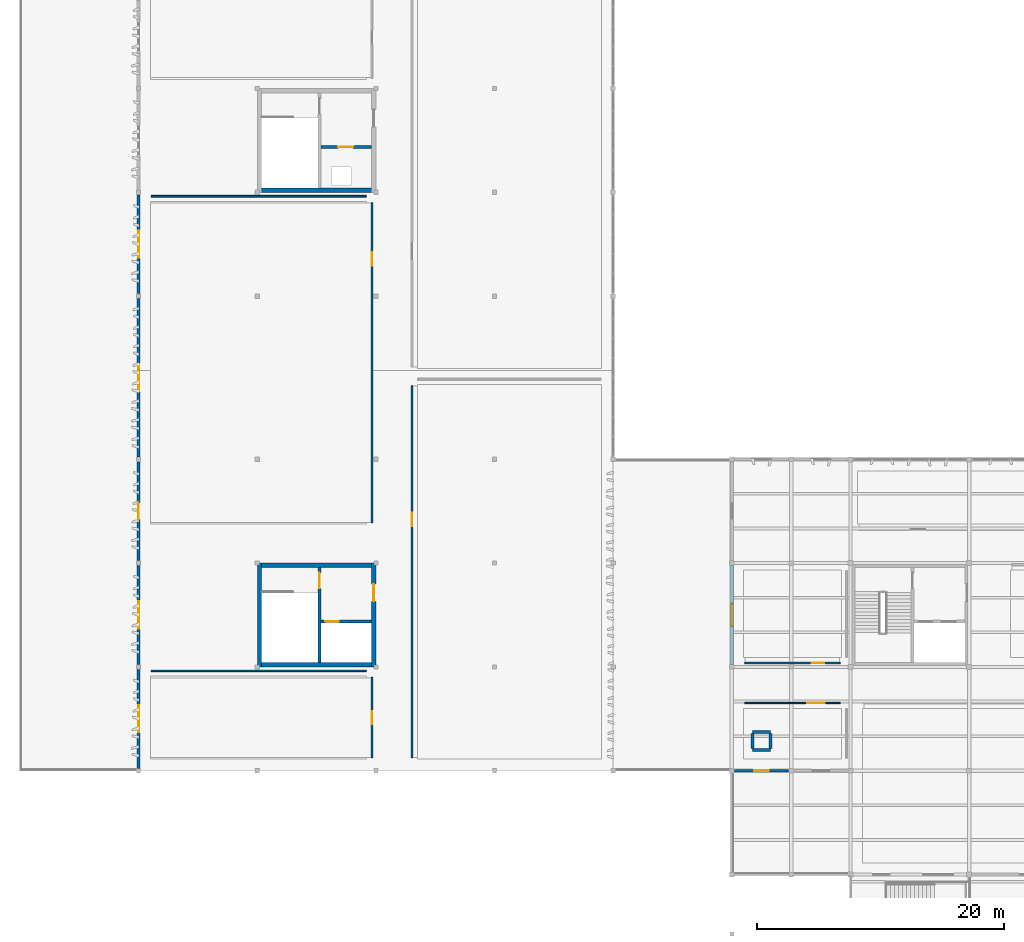
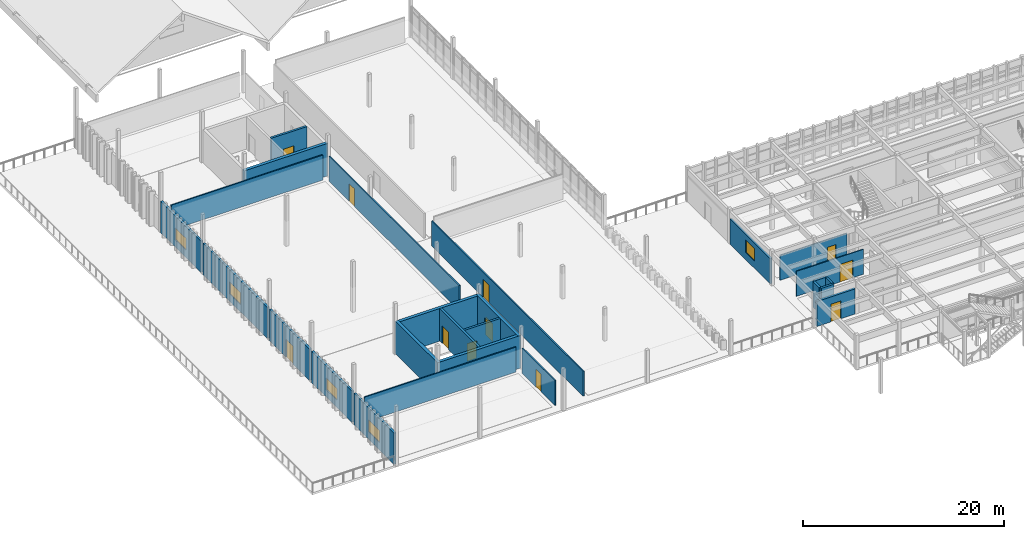
# One storey, part 30 of 42: 26 walls, 11 doors, 5 windows, 16 openings.
"""IFC4 building model written with IfcOpenShell, lengths in metres."""

from ifc_helpers import new_model, si_unit, direction, frame, frame_2d, origin, place, context, subcontext, project, spatial, rectangle, extrude, material, layer, layer_set, type_object, element, fill, save


model = new_model("IFC4")

# Units and contexts
model_context = context("Model", 3, precision=1e-05, world=origin(), true_north=direction((0.0, 1.0)))
body_context = subcontext(model_context, "Body", "Model", "MODEL_VIEW")
ifc_project = project(units=[si_unit("LENGTHUNIT", "METRE"), si_unit("AREAUNIT", "SQUARE_METRE"), si_unit("VOLUMEUNIT", "CUBIC_METRE"), si_unit("PLANEANGLEUNIT", "RADIAN"), si_unit("MASSUNIT", "GRAM", prefix="KILO")], contexts=[model_context])

# Site, building, storey
site_placement = place(None, origin())
site = spatial("IfcSite", under=ifc_project, at=site_placement, CompositionType="ELEMENT")
building_placement = place(site_placement, origin())
building = spatial("IfcBuilding", under=site, at=building_placement, Name="Kolvemor Railside Polytechnic", CompositionType="ELEMENT")
storey_placement = place(building_placement, frame((0.0, 0.0, 14.39990234375)))
storey = spatial("IfcBuildingStorey", under=building, at=storey_placement, Name="L03", CompositionType="ELEMENT", Elevation=14.39990234375)

# Walls
ifc_material_1 = material(Name="Concrete C40/50", Category="concrete")
ifc_layer_1 = layer(ifc_material_1, 0.35009765625, Name="WL-CORE-350")
ifc_layer_set_1 = layer_set([ifc_layer_1], Name="Concrete C40/50")
wall_type_1 = type_object("IfcWallType", Name="WL-CORE-350", PredefinedType="SHEAR", material=ifc_layer_set_1)
for number, where, z_axis, x_axis, name in (
    (1, (19.199951171875, 29.824951171875, 0.0), (0.0, 0.0, 1.0), (1.0, 0.0, 0.0), "CORE-4 North Core Wall L03"),
    (2, (19.199951171875, 21.77490234375, 0.0), (0.0, 0.0, 1.0), (1.0, 0.0, 0.0), "CORE-4 South Core Wall L03"),
):
    element("IfcWall", number, at=place(storey_placement, frame(where, z_axis=z_axis, x_axis=x_axis)), inside=storey, type_object=wall_type_1, Name=name, PredefinedType="SHEAR", context=body_context, shape_type="SweptSolid", body=[
        extrude(rectangle(XDim=9.60009765625, YDim=0.35009765625, at=frame_2d((4.800048828125, 0.0))), origin(), (0.0, 0.0, 1.0), 3.9501953125),
    ])
wall_1_placement = place(storey_placement, frame((19.375, 21.60009765625, 0.0), z_axis=(0.0, 0.0, 1.0), x_axis=(0.0, 1.0, 0.0)))
element("IfcWall", 3, at=wall_1_placement, inside=storey, type_object=wall_type_1, Name="CORE-4 West Core Wall L03", PredefinedType="SHEAR", context=body_context, shape_type="SweptSolid", body=[
    extrude(rectangle(XDim=8.39990234375, YDim=0.35009765625, at=frame_2d((4.199951171875, 0.0))), origin(), (0.0, 0.0, 1.0), 3.9501953125),
])

# Wall, opening, door
wall_2_placement = place(storey_placement, frame((28.625, 21.60009765625, 0.0), z_axis=(0.0, 0.0, 1.0), x_axis=(0.0, 1.0, 0.0)))
wall_2 = element("IfcWall", 4, at=wall_2_placement, inside=storey, type_object=wall_type_1, Name="CORE-4 East Core Wall L03", PredefinedType="SHEAR", context=body_context, shape_type="SweptSolid", body=[
    extrude(rectangle(XDim=8.39990234375, YDim=0.35009765625, at=frame_2d((4.199951171875, 0.0))), origin(), (0.0, 0.0, 1.0), 3.9501953125),
])
opening_1_placement = place(wall_2_placement, frame((5.300048828125, 0.0, 0.0)))
opening_1 = element("IfcOpeningElement", 5, at=opening_1_placement, cuts=wall_2, Name="Opening D-LOB-4-L03", PredefinedType="OPENING", context=body_context, shape_type="SweptSolid", body=[
    extrude(rectangle(XDim=1.39990234375, YDim=2.14990234375, at=frame_2d((0.699951171875, 1.074951171875))), frame((0.0, 0.18505859375, 0.0), z_axis=(0.0, -1.0, 0.0), x_axis=(1.0, 0.0, 0.0)), (0.0, 0.0, 1.0), 0.3701171875),
])
ifc_material_2 = material(Name="Fire-rated hardwood and brushed stainless-steel door", Category="steel")
door_type_1 = type_object("IfcDoorType", Name="DR-FD60-140x215", OperationType="NOTDEFINED", PredefinedType="DOOR", material=ifc_material_2)
door_1_placement = place(opening_1_placement, origin())
door_1 = element("IfcDoor", 6, at=door_1_placement, inside=storey, type_object=door_type_1, Name="Core Lobby Fire Door CORE-4 L03", OperationType="SINGLE_SWING_LEFT", OverallHeight=2.14990234375, OverallWidth=1.39990234375, PredefinedType="DOOR", context=body_context, shape_type="SweptSolid", body=[
    extrude(rectangle(XDim=1.39990234375, YDim=2.14990234375, at=frame_2d((0.699951171875, 1.074951171875))), frame((0.0, 0.02490234375, 0.0), z_axis=(0.0, -1.0, 0.0), x_axis=(1.0, 0.0, 0.0)), (0.0, 0.0, 1.0), 0.050048828125),
])
fill(opening_1, door_1)

# Wall
wall_3_placement = place(storey_placement, frame((19.199951171875, 60.175048828125, 0.0), z_axis=(0.0, 0.0, 1.0), x_axis=(1.0, 0.0, 0.0)))
element("IfcWall", 7, at=wall_3_placement, inside=storey, type_object=wall_type_1, Name="CORE-5 South Core Wall L03", PredefinedType="SHEAR", context=body_context, shape_type="SweptSolid", body=[
    extrude(rectangle(XDim=9.60009765625, YDim=0.35009765625, at=frame_2d((4.800048828125, 0.0))), origin(), (0.0, 0.0, 1.0), 3.9501953125),
])

# Wall, opening, window
ifc_material_3 = material(Name="Cross-laminated timber CLT E1", Category="wood")
ifc_layer_2 = layer(ifc_material_3, 0.239990234375, Name="WL-EXT-TM-240")
ifc_layer_set_2 = layer_set([ifc_layer_2], Name="Cross-laminated timber CLT E1")
wall_type_2 = type_object("IfcWallType", Name="WL-EXT-TM-240", PredefinedType="SOLIDWALL", material=ifc_layer_set_2)
wall_4_placement = place(storey_placement, frame((9.60009765625, 21.39990234375, 0.0), z_axis=(0.0, 0.0, 1.0), x_axis=(0.0, -1.0, 0.0)))
wall_4 = element("IfcWall", 8, at=wall_4_placement, inside=storey, type_object=wall_type_2, Name="Exterior Wall L03-0046", PredefinedType="SOLIDWALL", context=body_context, shape_type="SweptSolid", body=[
    extrude(rectangle(XDim=8.0, YDim=0.239990234375, at=frame_2d((4.0, 0.0))), origin(), (0.0, 0.0, 1.0), 3.800048828125),
])
opening_2_placement = place(wall_4_placement, frame((2.89990234375, 0.0, 0.89990234375)))
opening_2 = element("IfcOpeningElement", 9, at=opening_2_placement, cuts=wall_4, Name="Opening WN-SEM3", PredefinedType="OPENING", context=body_context, shape_type="SweptSolid", body=[
    extrude(rectangle(XDim=2.199951171875, YDim=1.449951171875, at=frame_2d((1.10009765625, 0.72509765625))), frame((0.0, 0.1298828125, 0.0), z_axis=(0.0, -1.0, 0.0), x_axis=(1.0, 0.0, 0.0)), (0.0, 0.0, 1.0), 0.260009765625),
])
ifc_material_4 = material(Name="Hurricane-laminated thermally broken aluminium window", Category="aluminium")
window_type_1 = type_object("IfcWindowType", Name="WN-SEM-220x145", PartitioningType="DOUBLE_PANEL_VERTICAL", PredefinedType="WINDOW", material=ifc_material_4)
window_1_placement = place(opening_2_placement, origin())
window_1 = element("IfcWindow", 10, at=window_1_placement, inside=storey, type_object=window_type_1, Name="Window L03-0043", OverallHeight=1.449951171875, OverallWidth=2.199951171875, PartitioningType="SINGLE_PANEL", PredefinedType="WINDOW", context=body_context, shape_type="SweptSolid", body=[
    extrude(rectangle(XDim=2.199951171875, YDim=1.449951171875, at=frame_2d((1.10009765625, 0.72509765625))), frame((0.0, 0.030029296875, 0.0), z_axis=(0.0, -1.0, 0.0), x_axis=(1.0, 0.0, 0.0)), (0.0, 0.0, 1.0), 0.06005859375),
])
fill(opening_2, window_1)

wall_5_placement = place(storey_placement, frame((9.60009765625, 29.800048828125, 0.0), z_axis=(0.0, 0.0, 1.0), x_axis=(0.0, -1.0, 0.0)))
wall_5 = element("IfcWall", 11, at=wall_5_placement, inside=storey, type_object=wall_type_2, Name="Exterior Wall L03-0054", PredefinedType="SOLIDWALL", context=body_context, shape_type="SweptSolid", body=[
    extrude(rectangle(XDim=8.0, YDim=0.239990234375, at=frame_2d((4.0, 0.0))), origin(), (0.0, 0.0, 1.0), 3.800048828125),
])
opening_3_placement = place(wall_5_placement, frame((2.89990234375, 0.0, 0.89990234375)))
opening_3 = element("IfcOpeningElement", 12, at=opening_3_placement, cuts=wall_5, Name="Opening WN-SEM3", PredefinedType="OPENING", context=body_context, shape_type="SweptSolid", body=[
    extrude(rectangle(XDim=2.199951171875, YDim=1.449951171875, at=frame_2d((1.10009765625, 0.72509765625))), frame((0.0, 0.1298828125, 0.0), z_axis=(0.0, -1.0, 0.0), x_axis=(1.0, 0.0, 0.0)), (0.0, 0.0, 1.0), 0.260009765625),
])
window_2_placement = place(opening_3_placement, origin())
window_2 = element("IfcWindow", 13, at=window_2_placement, inside=storey, type_object=window_type_1, Name="Window L03-0051", OverallHeight=1.449951171875, OverallWidth=2.199951171875, PartitioningType="SINGLE_PANEL", PredefinedType="WINDOW", context=body_context, shape_type="SweptSolid", body=[
    extrude(rectangle(XDim=2.199951171875, YDim=1.449951171875, at=frame_2d((1.10009765625, 0.72509765625))), frame((0.0, 0.030029296875, 0.0), z_axis=(0.0, -1.0, 0.0), x_axis=(1.0, 0.0, 0.0)), (0.0, 0.0, 1.0), 0.06005859375),
])
fill(opening_3, window_2)

# Wall, opening, door
wall_6_placement = place(storey_placement, frame((9.60009765625, 38.199951171875, 0.0), z_axis=(0.0, 0.0, 1.0), x_axis=(0.0, -1.0, 0.0)))
wall_6 = element("IfcWall", 14, at=wall_6_placement, inside=storey, type_object=wall_type_2, Name="Exterior Wall L03-0061", PredefinedType="SOLIDWALL", context=body_context, shape_type="SweptSolid", body=[
    extrude(rectangle(XDim=8.0, YDim=0.239990234375, at=frame_2d((4.0, 0.0))), origin(), (0.0, 0.0, 1.0), 3.800048828125),
])
opening_4_placement = place(wall_6_placement, frame((3.324951171875, 0.0, 0.0)))
opening_4 = element("IfcOpeningElement", 15, at=opening_4_placement, cuts=wall_6, Name="Opening D-TER-V3W", PredefinedType="OPENING", context=body_context, shape_type="SweptSolid", body=[
    extrude(rectangle(XDim=1.35009765625, YDim=2.14990234375, at=frame_2d((0.675048828125, 1.074951171875))), frame((0.0, 0.1298828125, 0.0), z_axis=(0.0, -1.0, 0.0), x_axis=(1.0, 0.0, 0.0)), (0.0, 0.0, 1.0), 0.260009765625),
])
ifc_material_5 = material(Name="Marine-grade thermally broken aluminium and laminated glass door", Category="aluminium")
door_type_2 = type_object("IfcDoorType", Name="DR-TER-135x215", OperationType="NOTDEFINED", PredefinedType="DOOR", material=ifc_material_5)
door_2_placement = place(opening_4_placement, origin())
door_2 = element("IfcDoor", 16, at=door_2_placement, inside=storey, type_object=door_type_2, Name="Exterior Door D-TER-V3W", OperationType="SINGLE_SWING_LEFT", OverallHeight=2.14990234375, OverallWidth=1.35009765625, PredefinedType="DOOR", context=body_context, shape_type="SweptSolid", body=[
    extrude(rectangle(XDim=1.35009765625, YDim=2.14990234375, at=frame_2d((0.675048828125, 1.074951171875))), frame((0.0, 0.02490234375, 0.0), z_axis=(0.0, -1.0, 0.0), x_axis=(1.0, 0.0, 0.0)), (0.0, 0.0, 1.0), 0.050048828125),
])
fill(opening_4, door_2)

# Wall, opening, window
wall_7_placement = place(storey_placement, frame((9.60009765625, 51.39990234375, 0.0), z_axis=(0.0, 0.0, 1.0), x_axis=(0.0, -1.0, 0.0)))
wall_7 = element("IfcWall", 17, at=wall_7_placement, inside=storey, type_object=wall_type_2, Name="Exterior Wall L03-0062", PredefinedType="SOLIDWALL", context=body_context, shape_type="SweptSolid", body=[
    extrude(rectangle(XDim=12.7998046875, YDim=0.239990234375, at=frame_2d((6.39990234375, 0.0))), origin(), (0.0, 0.0, 1.0), 3.800048828125),
])
opening_5_placement = place(wall_7_placement, frame((5.300048828125, 0.0, 0.89990234375)))
opening_5 = element("IfcOpeningElement", 18, at=opening_5_placement, cuts=wall_7, Name="Opening WN-SEM3", PredefinedType="OPENING", context=body_context, shape_type="SweptSolid", body=[
    extrude(rectangle(XDim=2.199951171875, YDim=1.449951171875, at=frame_2d((1.10009765625, 0.72509765625))), frame((0.0, 0.1298828125, 0.0), z_axis=(0.0, -1.0, 0.0), x_axis=(1.0, 0.0, 0.0)), (0.0, 0.0, 1.0), 0.260009765625),
])
window_3_placement = place(opening_5_placement, origin())
window_3 = element("IfcWindow", 19, at=window_3_placement, inside=storey, type_object=window_type_1, Name="Window L03-0060", OverallHeight=1.449951171875, OverallWidth=2.199951171875, PartitioningType="SINGLE_PANEL", PredefinedType="WINDOW", context=body_context, shape_type="SweptSolid", body=[
    extrude(rectangle(XDim=2.199951171875, YDim=1.449951171875, at=frame_2d((1.10009765625, 0.72509765625))), frame((0.0, 0.030029296875, 0.0), z_axis=(0.0, -1.0, 0.0), x_axis=(1.0, 0.0, 0.0)), (0.0, 0.0, 1.0), 0.06005859375),
])
fill(opening_5, window_3)

wall_8_placement = place(storey_placement, frame((9.60009765625, 59.800048828125, 0.0), z_axis=(0.0, 0.0, 1.0), x_axis=(0.0, -1.0, 0.0)))
wall_8 = element("IfcWall", 20, at=wall_8_placement, inside=storey, type_object=wall_type_2, Name="Exterior Wall L03-0066", PredefinedType="SOLIDWALL", context=body_context, shape_type="SweptSolid", body=[
    extrude(rectangle(XDim=8.0, YDim=0.239990234375, at=frame_2d((4.0, 0.0))), origin(), (0.0, 0.0, 1.0), 3.800048828125),
])
opening_6_placement = place(wall_8_placement, frame((2.89990234375, 0.0, 0.89990234375)))
opening_6 = element("IfcOpeningElement", 21, at=opening_6_placement, cuts=wall_8, Name="Opening WN-SEM3", PredefinedType="OPENING", context=body_context, shape_type="SweptSolid", body=[
    extrude(rectangle(XDim=2.199951171875, YDim=1.449951171875, at=frame_2d((1.10009765625, 0.72509765625))), frame((0.0, 0.1298828125, 0.0), z_axis=(0.0, -1.0, 0.0), x_axis=(1.0, 0.0, 0.0)), (0.0, 0.0, 1.0), 0.260009765625),
])
window_4_placement = place(opening_6_placement, origin())
window_4 = element("IfcWindow", 22, at=window_4_placement, inside=storey, type_object=window_type_1, Name="Window L03-0067", OverallHeight=1.449951171875, OverallWidth=2.199951171875, PartitioningType="SINGLE_PANEL", PredefinedType="WINDOW", context=body_context, shape_type="SweptSolid", body=[
    extrude(rectangle(XDim=2.199951171875, YDim=1.449951171875, at=frame_2d((1.10009765625, 0.72509765625))), frame((0.0, 0.030029296875, 0.0), z_axis=(0.0, -1.0, 0.0), x_axis=(1.0, 0.0, 0.0)), (0.0, 0.0, 1.0), 0.06005859375),
])
fill(opening_6, window_4)

wall_9_placement = place(storey_placement, frame((57.60009765625, 29.800048828125, 0.0), z_axis=(0.0, 0.0, 1.0), x_axis=(0.0, -1.0, 0.0)))
wall_9 = element("IfcWall", 23, at=wall_9_placement, inside=storey, type_object=wall_type_2, Name="Exterior Wall L03-0166", PredefinedType="SOLIDWALL", context=body_context, shape_type="SweptSolid", body=[
    extrude(rectangle(XDim=8.0, YDim=0.239990234375, at=frame_2d((4.0, 0.0))), origin(), (0.0, 0.0, 1.0), 3.050048828125),
])
opening_7_placement = place(wall_9_placement, frame((3.10009765625, 0.0, 0.89990234375)))
opening_7 = element("IfcOpeningElement", 24, at=opening_7_placement, cuts=wall_9, Name="Opening WN-LAB", PredefinedType="OPENING", context=body_context, shape_type="SweptSolid", body=[
    extrude(rectangle(XDim=1.800048828125, YDim=1.5, at=frame_2d((0.89990234375, 0.75))), frame((0.0, 0.1298828125, 0.0), z_axis=(0.0, -1.0, 0.0), x_axis=(1.0, 0.0, 0.0)), (0.0, 0.0, 1.0), 0.260009765625),
])
ifc_material_6 = material(Name="Hurricane-laminated thermally broken aluminium window", Category="aluminium")
window_type_2 = type_object("IfcWindowType", Name="WN-LAB-180x150", PartitioningType="DOUBLE_PANEL_VERTICAL", PredefinedType="WINDOW", material=ifc_material_6)
window_5_placement = place(opening_7_placement, origin())
window_5 = element("IfcWindow", 25, at=window_5_placement, inside=storey, type_object=window_type_2, Name="Window L03-0175", OverallHeight=1.5, OverallWidth=1.800048828125, PartitioningType="SINGLE_PANEL", PredefinedType="WINDOW", context=body_context, shape_type="SweptSolid", body=[
    extrude(rectangle(XDim=1.800048828125, YDim=1.5, at=frame_2d((0.89990234375, 0.75))), frame((0.0, 0.030029296875, 0.0), z_axis=(0.0, -1.0, 0.0), x_axis=(1.0, 0.0, 0.0)), (0.0, 0.0, 1.0), 0.06005859375),
])
fill(opening_7, window_5)

# Wall, opening, door
wall_10_placement = place(storey_placement, frame((62.199951171875, 13.199951171875, 0.0), z_axis=(0.0, 0.0, 1.0), x_axis=(-1.0, 0.0, 0.0)))
wall_10 = element("IfcWall", 26, at=wall_10_placement, inside=storey, type_object=wall_type_2, Name="Exterior Wall L03-0168", PredefinedType="SOLIDWALL", context=body_context, shape_type="SweptSolid", body=[
    extrude(rectangle(XDim=4.39990234375, YDim=0.239990234375, at=frame_2d((2.199951171875, 0.0))), origin(), (0.0, 0.0, 1.0), 3.050048828125),
])
opening_8_placement = place(wall_10_placement, frame((1.60009765625, 0.0, 0.0)))
opening_8 = element("IfcOpeningElement", 27, at=opening_8_placement, cuts=wall_10, Name="Opening D-TER-L03SW2", PredefinedType="OPENING", context=body_context, shape_type="SweptSolid", body=[
    extrude(rectangle(XDim=1.199951171875, YDim=2.14990234375, at=frame_2d((0.60009765625, 1.074951171875))), frame((0.0, 0.1298828125, 0.0), z_axis=(0.0, -1.0, 0.0), x_axis=(1.0, 0.0, 0.0)), (0.0, 0.0, 1.0), 0.260009765625),
])
ifc_material_7 = material(Name="Marine-grade thermally broken aluminium and laminated glass door", Category="aluminium")
door_type_3 = type_object("IfcDoorType", Name="DR-TER-120x215", OperationType="NOTDEFINED", PredefinedType="DOOR", material=ifc_material_7)
door_3_placement = place(opening_8_placement, origin())
door_3 = element("IfcDoor", 28, at=door_3_placement, inside=storey, type_object=door_type_3, Name="Exterior Door D-TER-L03SW2", OperationType="SINGLE_SWING_RIGHT", OverallHeight=2.14990234375, OverallWidth=1.199951171875, PredefinedType="DOOR", context=body_context, shape_type="SweptSolid", body=[
    extrude(rectangle(XDim=1.199951171875, YDim=2.14990234375, at=frame_2d((0.60009765625, 1.074951171875))), frame((0.0, 0.02490234375, 0.0), z_axis=(0.0, -1.0, 0.0), x_axis=(1.0, 0.0, 0.0)), (0.0, 0.0, 1.0), 0.050048828125),
])
fill(opening_8, door_3)

ifc_material_8 = material(Name="Fire-rated store partition")
ifc_layer_3 = layer(ifc_material_8, 0.110107421875, Name="WL-PART-110")
ifc_layer_set_3 = layer_set([ifc_layer_3], Name="Fire-rated store partition")
wall_type_3 = type_object("IfcWallType", Name="WL-PART-110", PredefinedType="PARTITIONING", material=ifc_layer_set_3)
wall_11_placement = place(storey_placement, frame((58.64990234375, 18.679931640625, 0.0), z_axis=(0.0, 0.0, 1.0), x_axis=(1.0, 0.0, 0.0)))
wall_11 = element("IfcWall", 29, at=wall_11_placement, inside=storey, type_object=wall_type_3, Name="Partition Wall L03-0189", PredefinedType="PARTITIONING", context=body_context, shape_type="SweptSolid", body=[
    extrude(rectangle(XDim=7.7001953125, YDim=0.110107421875, at=frame_2d((3.85009765625, 0.0))), origin(), (0.0, 0.0, 1.0), 3.030029296875),
])
opening_9_placement = place(wall_11_placement, frame((5.031982421875, 0.0, 0.0)))
opening_9 = element("IfcOpeningElement", 30, at=opening_9_placement, cuts=wall_11, Name="Opening D-03107", PredefinedType="OPENING", context=body_context, shape_type="SweptSolid", body=[
    extrude(rectangle(XDim=1.449951171875, YDim=2.14990234375, at=frame_2d((0.72509765625, 1.074951171875))), frame((0.0, 0.06494140625, 0.0), z_axis=(0.0, -1.0, 0.0), x_axis=(1.0, 0.0, 0.0)), (0.0, 0.0, 1.0), 0.130126953125),
])
ifc_material_9 = material(Name="Fire-rated hardwood and brushed stainless-steel door", Category="steel")
door_type_4 = type_object("IfcDoorType", Name="DR-PLT-145x215", OperationType="NOTDEFINED", PredefinedType="DOOR", material=ifc_material_9)
door_4_placement = place(opening_9_placement, origin())
door_4 = element("IfcDoor", 31, at=door_4_placement, inside=storey, type_object=door_type_4, Name="Room Door D-03107 (Studio Plotter and Model Archive Store)", OperationType="SINGLE_SWING_RIGHT", OverallHeight=2.14990234375, OverallWidth=1.449951171875, PredefinedType="DOOR", context=body_context, shape_type="SweptSolid", body=[
    extrude(rectangle(XDim=1.449951171875, YDim=2.14990234375, at=frame_2d((0.72509765625, 1.074951171875))), frame((0.0, 0.02490234375, 0.0), z_axis=(0.0, -1.0, 0.0), x_axis=(1.0, 0.0, 0.0)), (0.0, 0.0, 1.0), 0.050048828125),
])
fill(opening_9, door_4)

ifc_material_10 = material(Name="Departmental partition")
ifc_layer_4 = layer(ifc_material_10, 0.1298828125, Name="WL-PART-130")
ifc_layer_set_4 = layer_set([ifc_layer_4], Name="Departmental partition")
wall_type_4 = type_object("IfcWallType", Name="WL-PART-130", PredefinedType="PARTITIONING", material=ifc_layer_set_4)
wall_12_placement = place(storey_placement, frame((58.64990234375, 21.919921875, 0.0), z_axis=(0.0, 0.0, 1.0), x_axis=(1.0, 0.0, 0.0)))
wall_12 = element("IfcWall", 32, at=wall_12_placement, inside=storey, type_object=wall_type_4, Name="Partition Wall L03-0179", PredefinedType="PARTITIONING", context=body_context, shape_type="SweptSolid", body=[
    extrude(rectangle(XDim=7.7001953125, YDim=0.1298828125, at=frame_2d((3.85009765625, 0.0))), origin(), (0.0, 0.0, 1.0), 3.030029296875),
])
opening_10_placement = place(wall_12_placement, frame((5.431884765625, 0.0, 0.0)))
opening_10 = element("IfcOpeningElement", 33, at=opening_10_placement, cuts=wall_12, Name="Opening D-03101", PredefinedType="OPENING", context=body_context, shape_type="SweptSolid", body=[
    extrude(rectangle(XDim=0.97998046875, YDim=2.10009765625, at=frame_2d((0.489990234375, 1.050048828125))), frame((0.0, 0.074951171875, 0.0), z_axis=(0.0, -1.0, 0.0), x_axis=(1.0, 0.0, 0.0)), (0.0, 0.0, 1.0), 0.14990234375),
])
ifc_material_11 = material(Name="Solid hardwood acoustic door", Category="wood")
door_type_5 = type_object("IfcDoorType", Name="DR-ADM-098x210", OperationType="NOTDEFINED", PredefinedType="DOOR", material=ifc_material_11)
door_5_placement = place(opening_10_placement, origin())
door_5 = element("IfcDoor", 34, at=door_5_placement, inside=storey, type_object=door_type_5, Name="Room Door D-03101 (Faculty of Mechanical Engineering Suite)", OperationType="SINGLE_SWING_RIGHT", OverallHeight=2.10009765625, OverallWidth=0.97998046875, PredefinedType="DOOR", context=body_context, shape_type="SweptSolid", body=[
    extrude(rectangle(XDim=0.97998046875, YDim=2.10009765625, at=frame_2d((0.489990234375, 1.050048828125))), frame((0.0, 0.02490234375, 0.0), z_axis=(0.0, -1.0, 0.0), x_axis=(1.0, 0.0, 0.0)), (0.0, 0.0, 1.0), 0.050048828125),
])
fill(opening_10, door_5)

ifc_material_12 = material(Name="Seminar acoustic partition")
ifc_layer_5 = layer(ifc_material_12, 0.139892578125, Name="WL-PART-140")
ifc_layer_set_5 = layer_set([ifc_layer_5], Name="Seminar acoustic partition")
wall_type_5 = type_object("IfcWallType", Name="WL-PART-140", PredefinedType="PARTITIONING", material=ifc_layer_set_5)
wall_13_placement = place(storey_placement, frame((28.47998046875, 14.25, 0.0), z_axis=(0.0, 0.0, 1.0), x_axis=(0.0, 1.0, 0.0)))
wall_13 = element("IfcWall", 35, at=wall_13_placement, inside=storey, type_object=wall_type_5, Name="Partition Wall L03-0166", PredefinedType="PARTITIONING", context=body_context, shape_type="SweptSolid", body=[
    extrude(rectangle(XDim=6.5, YDim=0.139892578125, at=frame_2d((3.25, 0.0))), origin(), (0.0, 0.0, 1.0), 3.030029296875),
])
opening_11_placement = place(wall_13_placement, frame((2.72998046875, 0.0, 0.0)))
opening_11 = element("IfcOpeningElement", 36, at=opening_11_placement, cuts=wall_13, Name="Opening D-03094", PredefinedType="OPENING", context=body_context, shape_type="SweptSolid", body=[
    extrude(rectangle(XDim=1.0400390625, YDim=2.14990234375, at=frame_2d((0.52001953125, 1.074951171875))), frame((0.0, 0.079833984375, 0.0), z_axis=(0.0, -1.0, 0.0), x_axis=(1.0, 0.0, 0.0)), (0.0, 0.0, 1.0), 0.159912109375),
])
ifc_material_13 = material(Name="Solid hardwood acoustic door", Category="wood")
door_type_6 = type_object("IfcDoorType", Name="DR-SEM-104x215", OperationType="NOTDEFINED", PredefinedType="DOOR", material=ifc_material_13)
door_6_placement = place(opening_11_placement, origin())
door_6 = element("IfcDoor", 37, at=door_6_placement, inside=storey, type_object=door_type_6, Name="Room Door D-03094 (Seminar Room 301)", OperationType="SINGLE_SWING_LEFT", OverallHeight=2.14990234375, OverallWidth=1.0400390625, PredefinedType="DOOR", context=body_context, shape_type="SweptSolid", body=[
    extrude(rectangle(XDim=1.0400390625, YDim=2.14990234375, at=frame_2d((0.52001953125, 1.074951171875))), frame((0.0, 0.02490234375, 0.0), z_axis=(0.0, -1.0, 0.0), x_axis=(1.0, 0.0, 0.0)), (0.0, 0.0, 1.0), 0.050048828125),
])
fill(opening_11, door_6)

# Wall
wall_14_placement = place(storey_placement, frame((10.60009765625, 21.280029296875, 0.0), z_axis=(0.0, 0.0, 1.0), x_axis=(1.0, 0.0, 0.0)))
element("IfcWall", 38, at=wall_14_placement, inside=storey, type_object=wall_type_5, Name="Demising Partition L03-0167", PredefinedType="PARTITIONING", context=body_context, shape_type="SweptSolid", body=[
    extrude(rectangle(XDim=17.39990234375, YDim=0.139892578125, at=frame_2d((8.699951171875, 0.0))), origin(), (0.0, 0.0, 1.0), 3.030029296875),
])

# Wall, opening, door
wall_15_placement = place(storey_placement, frame((28.47998046875, 33.25, 0.0), z_axis=(0.0, 0.0, 1.0), x_axis=(0.0, 1.0, 0.0)))
wall_15 = element("IfcWall", 39, at=wall_15_placement, inside=storey, type_object=wall_type_5, Name="Partition Wall L03-0168", PredefinedType="PARTITIONING", context=body_context, shape_type="SweptSolid", body=[
    extrude(rectangle(XDim=25.89990234375, YDim=0.139892578125, at=frame_2d((12.949951171875, 0.0))), origin(), (0.0, 0.0, 1.0), 3.030029296875),
])
opening_12_placement = place(wall_15_placement, frame((20.81689453125, 0.0, 0.0)))
opening_12 = element("IfcOpeningElement", 40, at=opening_12_placement, cuts=wall_15, Name="Opening D-03095", PredefinedType="OPENING", context=body_context, shape_type="SweptSolid", body=[
    extrude(rectangle(XDim=1.080078125, YDim=2.14990234375, at=frame_2d((0.5400390625, 1.074951171875))), frame((0.0, 0.079833984375, 0.0), z_axis=(0.0, -1.0, 0.0), x_axis=(1.0, 0.0, 0.0)), (0.0, 0.0, 1.0), 0.159912109375),
])
ifc_material_14 = material(Name="Solid hardwood acoustic door", Category="wood")
door_type_7 = type_object("IfcDoorType", Name="DR-SEM-108x215", OperationType="NOTDEFINED", PredefinedType="DOOR", material=ifc_material_14)
door_7_placement = place(opening_12_placement, origin())
door_7 = element("IfcDoor", 41, at=door_7_placement, inside=storey, type_object=door_type_7, Name="Room Door D-03095 (Seminar Room 302)", OperationType="SINGLE_SWING_RIGHT", OverallHeight=2.14990234375, OverallWidth=1.080078125, PredefinedType="DOOR", context=body_context, shape_type="SweptSolid", body=[
    extrude(rectangle(XDim=1.080078125, YDim=2.14990234375, at=frame_2d((0.5400390625, 1.074951171875))), frame((0.0, 0.02490234375, 0.0), z_axis=(0.0, -1.0, 0.0), x_axis=(1.0, 0.0, 0.0)), (0.0, 0.0, 1.0), 0.050048828125),
])
fill(opening_12, door_7)

# Wall
wall_16_placement = place(storey_placement, frame((10.60009765625, 59.679931640625, 0.0), z_axis=(0.0, 0.0, 1.0), x_axis=(1.0, 0.0, 0.0)))
element("IfcWall", 42, at=wall_16_placement, inside=storey, type_object=wall_type_5, Name="Demising Partition L03-0169", PredefinedType="PARTITIONING", context=body_context, shape_type="SweptSolid", body=[
    extrude(rectangle(XDim=17.39990234375, YDim=0.139892578125, at=frame_2d((8.699951171875, 0.0))), origin(), (0.0, 0.0, 1.0), 3.030029296875),
])

# Wall, opening, door
ifc_material_15 = material(Name="Acoustic studio partition")
ifc_layer_6 = layer(ifc_material_15, 0.14990234375, Name="WL-PART-150")
ifc_layer_set_6 = layer_set([ifc_layer_6], Name="Acoustic studio partition")
wall_type_6 = type_object("IfcWallType", Name="WL-PART-150", PredefinedType="PARTITIONING", material=ifc_layer_set_6)
wall_17_placement = place(storey_placement, frame((31.719970703125, 14.25, 0.0), z_axis=(0.0, 0.0, 1.0), x_axis=(0.0, 1.0, 0.0)))
wall_17 = element("IfcWall", 43, at=wall_17_placement, inside=storey, type_object=wall_type_6, Name="Partition Wall L03-0170", PredefinedType="PARTITIONING", context=body_context, shape_type="SweptSolid", body=[
    extrude(rectangle(XDim=30.10009765625, YDim=0.14990234375, at=frame_2d((15.050048828125, 0.0))), origin(), (0.0, 0.0, 1.0), 3.030029296875),
])
opening_13_placement = place(wall_17_placement, frame((18.717041015625, 0.0, 0.0)))
opening_13 = element("IfcOpeningElement", 44, at=opening_13_placement, cuts=wall_17, Name="Opening D-03096", PredefinedType="OPENING", context=body_context, shape_type="SweptSolid", body=[
    extrude(rectangle(XDim=1.1201171875, YDim=2.14990234375, at=frame_2d((0.56005859375, 1.074951171875))), frame((0.0, 0.0849609375, 0.0), z_axis=(0.0, -1.0, 0.0), x_axis=(1.0, 0.0, 0.0)), (0.0, 0.0, 1.0), 0.169921875),
])
ifc_material_16 = material(Name="Solid hardwood acoustic door", Category="wood")
door_type_8 = type_object("IfcDoorType", Name="DR-STU-112x215", OperationType="NOTDEFINED", PredefinedType="DOOR", material=ifc_material_16)
door_8_placement = place(opening_13_placement, origin())
door_8 = element("IfcDoor", 45, at=door_8_placement, inside=storey, type_object=door_type_8, Name="Room Door D-03096 (Coastal Resilience Architecture Design Studio)", OperationType="SINGLE_SWING_LEFT", OverallHeight=2.14990234375, OverallWidth=1.1201171875, PredefinedType="DOOR", context=body_context, shape_type="SweptSolid", body=[
    extrude(rectangle(XDim=1.1201171875, YDim=2.14990234375, at=frame_2d((0.56005859375, 1.074951171875))), frame((0.0, 0.02490234375, 0.0), z_axis=(0.0, -1.0, 0.0), x_axis=(1.0, 0.0, 0.0)), (0.0, 0.0, 1.0), 0.050048828125),
])
fill(opening_13, door_8)

ifc_material_17 = material(Name="Concrete C40/50", Category="concrete")
ifc_layer_7 = layer(ifc_material_17, 0.25, Name="WL-SHFT-250")
ifc_layer_set_7 = layer_set([ifc_layer_7], Name="Concrete C40/50")
wall_type_7 = type_object("IfcWallType", Name="WL-SHFT-250", PredefinedType="SHEAR", material=ifc_layer_set_7)
wall_18_placement = place(storey_placement, frame((24.22509765625, 29.64990234375, 0.0), z_axis=(0.0, 0.0, 1.0), x_axis=(0.0, -1.0, 0.0)))
wall_18 = element("IfcWall", 46, at=wall_18_placement, inside=storey, type_object=wall_type_7, Name="CORE-4 Stair-Lobby Divider Wall L03", PredefinedType="SHEAR", context=body_context, shape_type="SweptSolid", body=[
    extrude(rectangle(XDim=7.699951171875, YDim=0.25, at=frame_2d((3.85009765625, 0.0))), origin(), (0.0, 0.0, 1.0), 3.9501953125),
])
opening_14_placement = place(wall_18_placement, frame((0.449951171875, 0.0, 0.0)))
opening_14 = element("IfcOpeningElement", 47, at=opening_14_placement, cuts=wall_18, Name="Opening D-ST-4-L03", PredefinedType="OPENING", context=body_context, shape_type="SweptSolid", body=[
    extrude(rectangle(XDim=1.25, YDim=2.14990234375, at=frame_2d((0.625, 1.074951171875))), frame((0.0, 0.135009765625, 0.0), z_axis=(0.0, -1.0, 0.0), x_axis=(1.0, 0.0, 0.0)), (0.0, 0.0, 1.0), 0.27001953125),
])
ifc_material_18 = material(Name="Fire-rated hardwood and brushed stainless-steel door", Category="steel")
door_type_9 = type_object("IfcDoorType", Name="DR-FD90-125x215", OperationType="NOTDEFINED", PredefinedType="DOOR", material=ifc_material_18)
door_9_placement = place(opening_14_placement, origin())
door_9 = element("IfcDoor", 48, at=door_9_placement, inside=storey, type_object=door_type_9, Name="Stair Fire Door ST-4 L03", OperationType="SINGLE_SWING_RIGHT", OverallHeight=2.14990234375, OverallWidth=1.25, PredefinedType="DOOR", context=body_context, shape_type="SweptSolid", body=[
    extrude(rectangle(XDim=1.25, YDim=2.14990234375, at=frame_2d((0.625, 1.074951171875))), frame((0.0, 0.02490234375, 0.0), z_axis=(0.0, -1.0, 0.0), x_axis=(1.0, 0.0, 0.0)), (0.0, 0.0, 1.0), 0.050048828125),
])
fill(opening_14, door_9)

wall_19_placement = place(storey_placement, frame((24.35009765625, 25.27490234375, 0.0), z_axis=(0.0, 0.0, 1.0), x_axis=(1.0, 0.0, 0.0)))
wall_19 = element("IfcWall", 49, at=wall_19_placement, inside=storey, type_object=wall_type_7, Name="CORE-4 Lift Shaft Front Wall L03", PredefinedType="SHEAR", context=body_context, shape_type="SweptSolid", body=[
    extrude(rectangle(XDim=4.099853515625, YDim=0.25, at=frame_2d((2.0498046875, 0.0))), origin(), (0.0, 0.0, 1.0), 3.9501953125),
])
opening_15_placement = place(wall_19_placement, frame((0.35009765625, 0.0, 0.0)))
opening_15 = element("IfcOpeningElement", 50, at=opening_15_placement, cuts=wall_19, Name="Opening LD-PL-3-L03", PredefinedType="OPENING", context=body_context, shape_type="SweptSolid", body=[
    extrude(rectangle(XDim=1.10009765625, YDim=2.14990234375, at=frame_2d((0.550048828125, 1.074951171875))), frame((0.0, 0.135009765625, 0.0), z_axis=(0.0, -1.0, 0.0), x_axis=(1.0, 0.0, 0.0)), (0.0, 0.0, 1.0), 0.27001953125),
])
ifc_material_19 = material(Name="Fire-rated hardwood and brushed stainless-steel door", Category="steel")
door_type_10 = type_object("IfcDoorType", Name="DR-LIFT-110x215", OperationType="SLIDING_TO_LEFT", PredefinedType="DOOR", material=ifc_material_19)
door_10_placement = place(opening_15_placement, origin())
door_10 = element("IfcDoor", 51, at=door_10_placement, inside=storey, type_object=door_type_10, Name="Lift Landing Sliding Door PL-3 L03", OperationType="SLIDING_TO_LEFT", OverallHeight=2.14990234375, OverallWidth=1.10009765625, PredefinedType="DOOR", context=body_context, shape_type="SweptSolid", body=[
    extrude(rectangle(XDim=1.10009765625, YDim=2.14990234375, at=frame_2d((0.550048828125, 1.074951171875))), frame((0.0, 0.02490234375, 0.0), z_axis=(0.0, -1.0, 0.0), x_axis=(1.0, 0.0, 0.0)), (0.0, 0.0, 1.0), 0.050048828125),
])
fill(opening_15, door_10)

wall_20_placement = place(storey_placement, frame((24.35009765625, 63.675048828125, 0.0), z_axis=(0.0, 0.0, 1.0), x_axis=(1.0, 0.0, 0.0)))
wall_20 = element("IfcWall", 52, at=wall_20_placement, inside=storey, type_object=wall_type_7, Name="CORE-5 Lift Shaft Front Wall L03", PredefinedType="SHEAR", context=body_context, shape_type="SweptSolid", body=[
    extrude(rectangle(XDim=4.099853515625, YDim=0.25, at=frame_2d((2.0498046875, 0.0))), origin(), (0.0, 0.0, 1.0), 3.9501953125),
])
opening_16_placement = place(wall_20_placement, frame((1.39990234375, 0.0, 0.0)))
opening_16 = element("IfcOpeningElement", 53, at=opening_16_placement, cuts=wall_20, Name="Opening D-RSR-5-L03", PredefinedType="OPENING", context=body_context, shape_type="SweptSolid", body=[
    extrude(rectangle(XDim=1.199951171875, YDim=2.14990234375, at=frame_2d((0.60009765625, 1.074951171875))), frame((0.0, 0.135009765625, 0.0), z_axis=(0.0, -1.0, 0.0), x_axis=(1.0, 0.0, 0.0)), (0.0, 0.0, 1.0), 0.27001953125),
])
ifc_material_20 = material(Name="Fire-rated hardwood and brushed stainless-steel door", Category="steel")
door_type_11 = type_object("IfcDoorType", Name="DR-FD60-120x215", OperationType="NOTDEFINED", PredefinedType="DOOR", material=ifc_material_20)
door_11_placement = place(opening_16_placement, origin())
door_11 = element("IfcDoor", 54, at=door_11_placement, inside=storey, type_object=door_type_11, Name="Riser Fire Door CORE-5 L03", OperationType="SINGLE_SWING_LEFT", OverallHeight=2.14990234375, OverallWidth=1.199951171875, PredefinedType="DOOR", context=body_context, shape_type="SweptSolid", body=[
    extrude(rectangle(XDim=1.199951171875, YDim=2.14990234375, at=frame_2d((0.60009765625, 1.074951171875))), frame((0.0, 0.02490234375, 0.0), z_axis=(0.0, -1.0, 0.0), x_axis=(1.0, 0.0, 0.0)), (0.0, 0.0, 1.0), 0.050048828125),
])
fill(opening_16, door_11)

# Walls
ifc_material_21 = material(Name="Concrete C40/50", Category="concrete")
ifc_layer_8 = layer(ifc_material_21, 0.25, Name="WL-TIER-RC")
ifc_layer_set_8 = layer_set([ifc_layer_8], Name="Concrete C40/50")
wall_type_8 = type_object("IfcWallType", Name="WL-TIER-RC", PredefinedType="SHEAR", material=ifc_layer_set_8)
for number, where, z_axis, x_axis, name in (
    (55, (59.280029296875, 14.8798828125, 0.0), (0.0, 0.0, 1.0), (1.0, 0.0, 0.0), "MEP Riser Enclosure Wall L03-78S"),
    (56, (59.280029296875, 16.320068359375, 0.0), (0.0, 0.0, 1.0), (1.0, 0.0, 0.0), "MEP Riser Enclosure Wall L03-78N"),
):
    element("IfcWall", number, at=place(storey_placement, frame(where, z_axis=z_axis, x_axis=x_axis)), inside=storey, type_object=wall_type_8, Name=name, PredefinedType="SHEAR", context=body_context, shape_type="SweptSolid", body=[
        extrude(rectangle(XDim=1.43994140625, YDim=0.25, at=frame_2d((0.719970703125, 0.0))), origin(), (0.0, 0.0, 1.0), 3.10009765625),
    ])
for number, where, z_axis, x_axis, name in (
    (57, (59.280029296875, 15.0, 0.0), (0.0, 0.0, 1.0), (0.0, 1.0, 0.0), "MEP Riser Enclosure Wall L03-78W"),
    (58, (60.719970703125, 15.0, 0.0), (0.0, 0.0, 1.0), (0.0, 1.0, 0.0), "MEP Riser Enclosure Wall L03-78E"),
):
    element("IfcWall", number, at=place(storey_placement, frame(where, z_axis=z_axis, x_axis=x_axis)), inside=storey, type_object=wall_type_8, Name=name, PredefinedType="SHEAR", context=body_context, shape_type="SweptSolid", body=[
        extrude(rectangle(XDim=1.199951171875, YDim=0.25, at=frame_2d((0.60009765625, 0.0))), origin(), (0.0, 0.0, 1.0), 3.10009765625),
    ])

save(model, "model.ifc")
